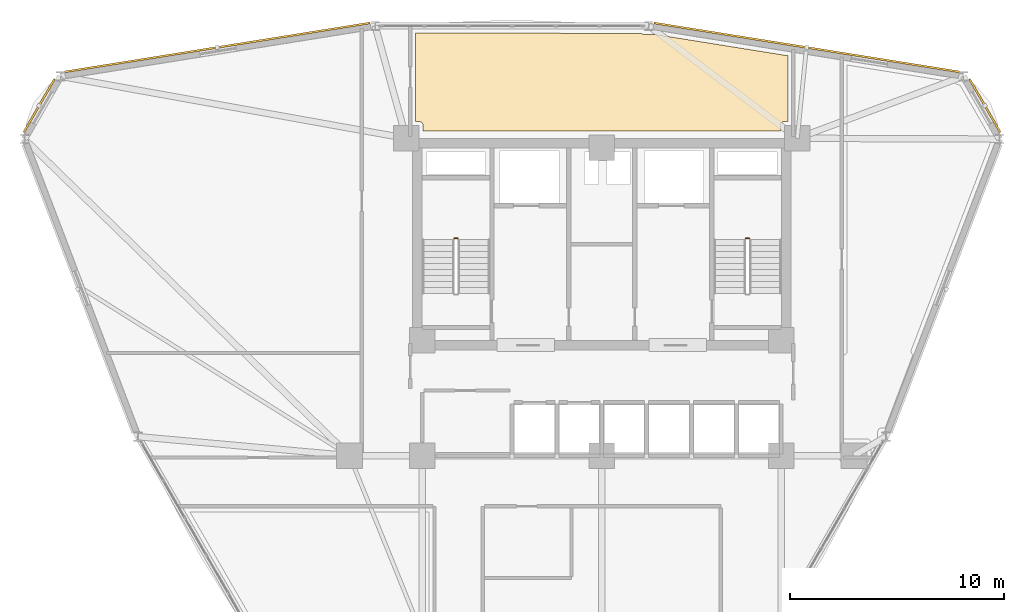
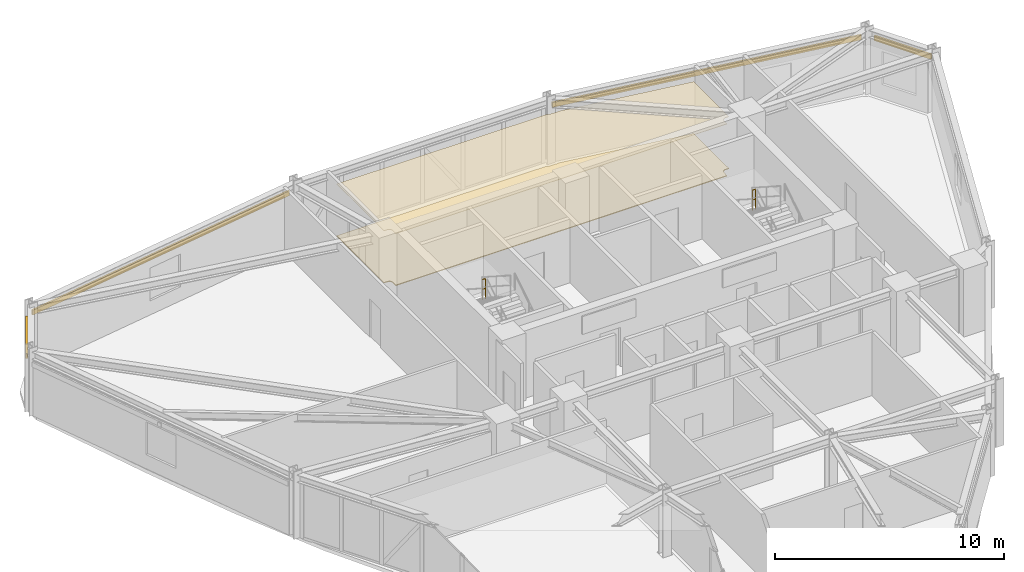
# One storey, part 15 of 15: 4 shading devices, 2 coverings, 2 railings.
"""IFC4 building model written with IfcOpenShell, lengths in metres."""

import ifcopenshell
import ifcopenshell.guid

model = None  # the IFC model being written
_history = None  # IfcOwnerHistory: only IFC2X3 demands one
_inside = {}  # id of a spatial element -> (the spatial element, [elements in it])
_under = {}  # id of a project, library or spatial element -> (it, [spatial elements below it])
_declared = {}  # id of a project -> (the project, [libraries it declares])
_typed = {}  # id of a type object -> (the type object, [elements of that type])
_made_of = {}  # id of a material, layer set ... -> (it, [elements and type objects made of it])


def new_model(schema):
    """Start an empty IFC model of exactly this schema.

    Asked for "IFC4X3", IfcOpenShell would pick the latest addendum, in which some entities
    have other attributes; the version numbers below select the first issue.
    IFC2X3 requires an IfcOwnerHistory on every rooted entity: one is made here for all.
    """
    global model, _history
    if schema == "IFC4X3":
        model = ifcopenshell.file(schema_version=(4, 3, 0, 0))
    else:
        model = ifcopenshell.file(schema=schema)
    _inside.clear()
    _under.clear()
    _declared.clear()
    _typed.clear()
    _made_of.clear()
    _history = None
    if model.schema == "IFC2X3":
        org = make("IfcOrganization", Name="unknown")
        user = make(
            "IfcPersonAndOrganization",
            ThePerson=make("IfcPerson", FamilyName="unknown"),
            TheOrganization=org,
        )
        app = make(
            "IfcApplication",
            ApplicationDeveloper=org,
            Version="unknown",
            ApplicationFullName="unknown",
            ApplicationIdentifier="unknown",
        )
        _history = make(
            "IfcOwnerHistory",
            OwningUser=user,
            OwningApplication=app,
            ChangeAction="ADDED",
            CreationDate=0,
        )
    return model


def make(cls, **values):
    """One entity of the class cls with the attributes given. An attribute that is None is left unset."""
    return model.create_entity(
        cls, **{name: value for name, value in values.items() if value is not None}
    )


def rooted(cls, **values):
    """An entity with a GlobalId (a new one), such as an element, a storey or a relation."""
    return make(cls, GlobalId=ifcopenshell.guid.new(), OwnerHistory=_history, **values)


def si_unit(unit_type, name, prefix=None):
    """IfcSIUnit, for example si_unit("LENGTHUNIT", "METRE", prefix="MILLI")."""
    return make("IfcSIUnit", UnitType=unit_type, Prefix=prefix, Name=name)


def derived_unit(unit_type, elements):
    """IfcDerivedUnit: a product of units, each with its exponent."""
    return make(
        "IfcDerivedUnit",
        Elements=[
            make("IfcDerivedUnitElement", Unit=unit, Exponent=power)
            for unit, power in elements
        ],
        UnitType=unit_type,
    )


def assignment(units):
    """IfcUnitAssignment: the units of a project."""
    return None if units is None else make("IfcUnitAssignment", Units=units)


def point(xyz):
    """IfcCartesianPoint."""
    return None if xyz is None else make("IfcCartesianPoint", Coordinates=xyz)


def direction(xyz):
    """IfcDirection."""
    return None if xyz is None else make("IfcDirection", DirectionRatios=xyz)


def frame(location, z_axis=None, x_axis=None):
    """IfcAxis2Placement3D, a coordinate frame: its origin and axes. An axis left out is left unset."""
    return make(
        "IfcAxis2Placement3D",
        Location=point(location),
        Axis=direction(z_axis),
        RefDirection=direction(x_axis),
    )


def frame_2d(location, x_axis=None):
    """IfcAxis2Placement2D, a coordinate frame in the plane: its origin and x axis."""
    return make(
        "IfcAxis2Placement2D", Location=point(location), RefDirection=direction(x_axis)
    )


def origin():
    """The frame at (0, 0, 0) with its axes left unset."""
    return frame((0.0, 0.0, 0.0))


def origin_2d():
    """The frame at (0, 0) in the plane with its x axis left unset."""
    return frame_2d((0.0, 0.0))


def place(relative_to, where):
    """IfcLocalPlacement: puts the frame where relative to a parent placement (None: the world)."""
    return make(
        "IfcLocalPlacement", PlacementRelTo=relative_to, RelativePlacement=where
    )


def context(
    kind, dimensions, precision=None, world=None, true_north=None, identifier=None
):
    """IfcGeometricRepresentationContext, for example the 3D "Model" context."""
    return make(
        "IfcGeometricRepresentationContext",
        ContextIdentifier=identifier,
        ContextType=kind,
        CoordinateSpaceDimension=dimensions,
        Precision=precision,
        WorldCoordinateSystem=world,
        TrueNorth=true_north,
    )


def subcontext(parent, identifier, kind, view, scale=None):
    """IfcGeometricRepresentationSubContext, for example "Body" below "Model"."""
    return make(
        "IfcGeometricRepresentationSubContext",
        ContextIdentifier=identifier,
        ContextType=kind,
        ParentContext=parent,
        TargetScale=scale,
        TargetView=view,
    )


def project(units=None, contexts=None):
    """IfcProject with its units and contexts."""
    return rooted(
        "IfcProject",
        Name="project",
        RepresentationContexts=contexts,
        UnitsInContext=assignment(units),
    )


def spatial(cls, under=None, at=None, **own):
    """A site, building, storey or space (cls), placed at a placement, below another one or the project."""
    s = rooted(cls, ObjectPlacement=at, **own)
    if under is not None:
        _under.setdefault(under.id(), (under, []))[1].append(s)
    return s


def polyline(points):
    """IfcPolyline through the points."""
    return make("IfcPolyline", Points=[point(p) for p in points])


def profile(cls, at=None, kind="AREA", **sizes):
    """A parametric profile (cls). Its sizes go by their IFC names, for example OverallWidth=200.0."""
    return make(cls, ProfileType=kind, Position=at, **sizes)


def hollow_rectangle(**sizes):
    """IfcRectangleHollowProfileDef."""
    return profile("IfcRectangleHollowProfileDef", **sizes)


def circle(**sizes):
    """IfcCircleProfileDef."""
    return profile("IfcCircleProfileDef", **sizes)


def outline(outer, holes=None, kind="AREA"):
    """IfcArbitraryClosedProfileDef: a profile drawn as a closed curve; with holes, ...WithVoids."""
    if holes is None:
        return make("IfcArbitraryClosedProfileDef", ProfileType=kind, OuterCurve=outer)
    return make(
        "IfcArbitraryProfileDefWithVoids",
        ProfileType=kind,
        OuterCurve=outer,
        InnerCurves=holes,
    )


def extrude(swept, where, along, depth):
    """IfcExtrudedAreaSolid: the profile swept, set in the frame where, extruded along a direction by depth."""
    return make(
        "IfcExtrudedAreaSolid",
        SweptArea=swept,
        Position=where,
        ExtrudedDirection=direction(along),
        Depth=depth,
    )


def shape(context_of_items, identifier, shape_type, items):
    """IfcShapeRepresentation: the items that make up one representation, for example the "Body"."""
    return make(
        "IfcShapeRepresentation",
        ContextOfItems=context_of_items,
        RepresentationIdentifier=identifier,
        RepresentationType=shape_type,
        Items=items,
    )


def source(mapping_origin, context_of_items, identifier, shape_type, items):
    """IfcRepresentationMap: a shape defined once, which mapped items show again and again."""
    return make(
        "IfcRepresentationMap",
        MappingOrigin=mapping_origin,
        MappedRepresentation=shape(context_of_items, identifier, shape_type, items),
    )


def transform(
    local_origin,
    x_axis=None,
    y_axis=None,
    z_axis=None,
    scale=None,
    scale2=None,
    scale3=None,
    uniform=True,
):
    """IfcCartesianTransformationOperator3D, or its non-uniform kind. x_axis, y_axis, z_axis: its Axis1, 2, 3."""
    if uniform:
        return make(
            "IfcCartesianTransformationOperator3D",
            Axis1=direction(x_axis),
            Axis2=direction(y_axis),
            LocalOrigin=point(local_origin),
            Scale=scale,
            Axis3=direction(z_axis),
        )
    return make(
        "IfcCartesianTransformationOperator3DnonUniform",
        Axis1=direction(x_axis),
        Axis2=direction(y_axis),
        LocalOrigin=point(local_origin),
        Scale=scale,
        Axis3=direction(z_axis),
        Scale2=scale2,
        Scale3=scale3,
    )


def mapped(mapping_source, mapping_target):
    """IfcMappedItem: shows the shape of a source again, moved by a transform."""
    return make(
        "IfcMappedItem", MappingSource=mapping_source, MappingTarget=mapping_target
    )


def material(Name=None, Category=None):
    """IfcMaterial."""
    return make("IfcMaterial", Name=Name, Category=Category)


def layer(
    of_material, thickness, ventilated=None, Name=None, Category=None, Priority=None
):
    """IfcMaterialLayer: one layer of a wall or slab, of a material (None: an air gap)."""
    return make(
        "IfcMaterialLayer",
        Material=of_material,
        LayerThickness=thickness,
        IsVentilated=ventilated,
        Name=Name,
        Category=Category,
        Priority=Priority,
    )


def layer_set(layers, Name=None):
    """IfcMaterialLayerSet."""
    return make("IfcMaterialLayerSet", MaterialLayers=layers, LayerSetName=Name)


def material_profile(
    of_material, cross_section, Name=None, Category=None, Priority=None
):
    """IfcMaterialProfile: a cross section and its material."""
    return make(
        "IfcMaterialProfile",
        Name=Name,
        Material=of_material,
        Profile=cross_section,
        Priority=Priority,
        Category=Category,
    )


def profile_set(profiles, Name=None, composite=None):
    """IfcMaterialProfileSet."""
    return make(
        "IfcMaterialProfileSet",
        Name=Name,
        MaterialProfiles=profiles,
        CompositeProfile=composite,
    )


def made_of(thing, what):
    """Note that an element or type object is made of a material, layer set ...; save() writes the relation."""
    if what is not None:
        _made_of.setdefault(what.id(), (what, []))[1].append(thing)
    return thing


def type_object(cls, material=None, **own):
    """A type object (cls), such as IfcWallType, which elements share."""
    return made_of(rooted(cls, **own), material)


def element(
    cls,
    number,
    at=None,
    inside=None,
    cuts=None,
    type_object=None,
    material=None,
    context=None,
    identifier="Body",
    shape_type=None,
    held_by="IfcProductDefinitionShape",
    body=None,
    shapes=None,
    **own,
):
    """One element of the class cls, such as IfcWall. Its Tag is "e" and its number.

    at: its placement. inside: the storey or other place that contains it. cuts: it is an
    opening in that element (IfcRelVoidsElement). A single representation is given by context,
    identifier, shape_type and body (its items); several are given by shapes. held_by: the class
    of the entity that holds the representations. save() writes the other relations.
    """
    e = rooted(cls, Tag="e%d" % number, ObjectPlacement=at, **own)
    if body is not None:
        shapes = [shape(context, identifier, shape_type, body)]
    if shapes is not None:
        e.Representation = make(held_by, Representations=shapes)
    if inside is not None:
        _inside.setdefault(inside.id(), (inside, []))[1].append(e)
    if cuts is not None:
        rooted(
            "IfcRelVoidsElement", RelatingBuildingElement=cuts, RelatedOpeningElement=e
        )
    if type_object is not None:
        _typed.setdefault(type_object.id(), (type_object, []))[1].append(e)
    return made_of(e, material)


def aggregate(whole, parts):
    """IfcRelAggregates: a whole, such as a stair, and the parts it consists of."""
    return rooted("IfcRelAggregates", RelatingObject=whole, RelatedObjects=parts)


def save(model, path):
    """Write the relations noted so far, then the file.

    IfcRelAggregates (storeys below a building ...), IfcRelContainedInSpatialStructure (elements
    in a storey), IfcRelDefinesByType, IfcRelAssociatesMaterial and IfcRelDeclares: one each for
    every whole, place, type object, material and project.
    """
    for whole, parts in _under.values():
        aggregate(whole, parts)
    for where, things in _inside.values():
        rooted(
            "IfcRelContainedInSpatialStructure",
            RelatedElements=things,
            RelatingStructure=where,
        )
    for kind, things in _typed.values():
        rooted("IfcRelDefinesByType", RelatedObjects=things, RelatingType=kind)
    for what, things in _made_of.values():
        rooted("IfcRelAssociatesMaterial", RelatedObjects=things, RelatingMaterial=what)
    for by, libraries in _declared.values():
        rooted("IfcRelDeclares", RelatingContext=by, RelatedDefinitions=libraries)
    model.write(path)


model = new_model("IFC4")

# Units and contexts
model_context = context("Model", 3, precision=1e-05, world=origin(), true_north=direction((0.0, 1.0)))
body_context = subcontext(model_context, "Body", "Model", "MODEL_VIEW")
ifc_project = project(units=[si_unit("LENGTHUNIT", "METRE"), si_unit("AREAUNIT", "SQUARE_METRE"), si_unit("VOLUMEUNIT", "CUBIC_METRE"), si_unit("PLANEANGLEUNIT", "RADIAN"), si_unit("MASSUNIT", "GRAM", prefix="KILO"), derived_unit("THERMALTRANSMITTANCEUNIT", [(si_unit("POWERUNIT", "WATT"), 1), (si_unit("LENGTHUNIT", "METRE"), -2), (si_unit("THERMODYNAMICTEMPERATUREUNIT", "KELVIN"), -1)])], contexts=[model_context])

# Site, building, storey
site_placement = place(None, origin())
site = spatial("IfcSite", under=ifc_project, at=site_placement, CompositionType="ELEMENT")
building_placement = place(site_placement, origin())
building = spatial("IfcBuilding", under=site, at=building_placement, Name="Korsvarv Bourse and Concert Hall", CompositionType="ELEMENT")
storey_placement = place(building_placement, frame((0.0, 0.0, 157.800048828125)))
storey = spatial("IfcBuildingStorey", under=building, at=storey_placement, Name="L40", CompositionType="ELEMENT", Elevation=157.800048828125)

# Coverings
ifc_material_1 = material(Name="Perforated mineral-wool and birch acoustic baffle ceiling", Category="wood")
ifc_layer_1 = layer(ifc_material_1, 0.02490234375)
ifc_layer_set_1 = layer_set([ifc_layer_1], Name="Perforated mineral-wool and birch acoustic baffle ceiling")
covering_type_1 = type_object("IfcCoveringType", Name="COV-CEIL-1", PredefinedType="CEILING", material=ifc_layer_set_1)
covering_1_placement = place(storey_placement, frame((0.0, 0.0, 2.780029296875)))
element("IfcCovering", 1, at=covering_1_placement, inside=storey, type_object=covering_type_1, Name="L40 acoustic baffle ceiling 3", PredefinedType="CEILING", context=body_context, shape_type="SweptSolid", body=[
    extrude(outline(polyline([(37.856689453125, 52.164306640625), (37.88330078125, 52.141845703125), (37.913818359375, 52.125), (37.94677734375, 52.1142578125), (37.981201171875, 52.110107421875), (38.4033203125, 52.10009765625), (38.438720703125, 52.102783203125), (38.47265625, 52.1123046875), (44.710693359375, 51.111572265625), (44.7099609375, 48.0400390625), (44.550048828125, 48.0400390625), (44.515380859375, 48.03662109375), (44.482177734375, 48.026611328125), (44.451416015625, 48.010498046875), (44.42431640625, 47.98876953125), (44.40185546875, 47.962158203125), (44.385009765625, 47.931640625), (44.374267578125, 47.898681640625), (44.3701171875, 47.864013671875), (44.364013671875, 47.60009765625), (27.639892578125, 47.60009765625), (27.639892578125, 47.85009765625), (27.63671875, 47.884521484375), (27.626708984375, 47.917724609375), (27.610595703125, 47.948486328125), (27.589111328125, 47.975341796875), (27.562744140625, 47.997802734375), (27.532470703125, 48.014892578125), (27.49951171875, 48.025634765625), (27.465087890625, 48.02978515625), (27.2900390625, 48.034912109375), (27.2900390625, 52.16748046875), (37.856689453125, 52.164306640625)])), origin(), (0.0, 0.0, 1.0), 0.02490234375),
])
ifc_material_2 = material(Name="Calcium-sulphate raised access trading floor with Nordic oak top", Category="wood")
ifc_layer_2 = layer(ifc_material_2, 0.0400390625)
ifc_layer_set_2 = layer_set([ifc_layer_2], Name="Calcium-sulphate raised access trading floor with Nordic oak top")
covering_type_2 = type_object("IfcCoveringType", Name="COV-FLOR-1", PredefinedType="FLOORING", material=ifc_layer_set_2)
covering_2_placement = place(storey_placement, origin())
element("IfcCovering", 2, at=covering_2_placement, inside=storey, type_object=covering_type_2, Name="L40 raised access oak floor finish 3", PredefinedType="FLOORING", context=body_context, shape_type="SweptSolid", body=[
    extrude(outline(polyline([(37.856689453125, 52.164306640625), (37.88330078125, 52.141845703125), (37.913818359375, 52.125), (37.94677734375, 52.1142578125), (37.981201171875, 52.110107421875), (38.4033203125, 52.10009765625), (38.438720703125, 52.102783203125), (38.47265625, 52.1123046875), (44.710693359375, 51.111572265625), (44.7099609375, 48.0400390625), (44.550048828125, 48.0400390625), (44.515380859375, 48.03662109375), (44.482177734375, 48.026611328125), (44.451416015625, 48.010498046875), (44.42431640625, 47.98876953125), (44.40185546875, 47.962158203125), (44.385009765625, 47.931640625), (44.374267578125, 47.898681640625), (44.3701171875, 47.864013671875), (44.364013671875, 47.60009765625), (27.639892578125, 47.60009765625), (27.639892578125, 47.85009765625), (27.63671875, 47.884521484375), (27.626708984375, 47.917724609375), (27.610595703125, 47.948486328125), (27.589111328125, 47.975341796875), (27.562744140625, 47.997802734375), (27.532470703125, 48.014892578125), (27.49951171875, 48.025634765625), (27.465087890625, 48.02978515625), (27.2900390625, 48.034912109375), (27.2900390625, 52.16748046875), (37.856689453125, 52.164306640625)])), origin(), (0.0, 0.0, 1.0), 0.0400390625),
])

# Railings
ifc_material_3 = material(Name="Painted Steel S355 stair well guardrail", Category="steel")
railing_type = type_object("IfcRailingType", Name="RL-ST-GRD", PredefinedType="GUARDRAIL", material=ifc_material_3)
for number, where, name in (
    (3, (29.260009765625, 42.570068359375, 1.800048828125), "L40 ST-T1 stair guard 2"),
    (4, (42.89990234375, 42.570068359375, 1.800048828125), "L40 ST-T2 stair guard 2"),
):
    element("IfcRailing", number, at=place(storey_placement, frame(where)), inside=storey, type_object=railing_type, Name=name, PredefinedType="GUARDRAIL", context=body_context, shape_type="SweptSolid", body=[
        extrude(circle(Radius=0.02392578125, at=origin_2d()), frame((0.0, 0.0, 1.076171875), z_axis=(-1.0, 0.0, 0.0), x_axis=(0.0, -1.0, 0.0)), (0.0, 0.0, 1.0), 0.159912109375),
        extrude(circle(Radius=0.02392578125, at=origin_2d()), frame((0.0, 0.0, 0.550048828125), z_axis=(-1.0, 0.0, 0.0), x_axis=(0.0, -1.0, 0.0)), (0.0, 0.0, 1.0), 0.159912109375),
        extrude(circle(Radius=0.02099609375, at=origin_2d()), origin(), (0.0, 0.0, 1.0), 1.052001953125),
        extrude(circle(Radius=0.02099609375, at=origin_2d()), frame((-0.159912109375, 0.0, 0.0)), (0.0, 0.0, 1.0), 1.052001953125),
    ])

# Shading devices
ifc_material_4 = material(Name="Glazed extruded architectural terracotta", Category="ceramic")
ifc_material_profile = material_profile(ifc_material_4, hollow_rectangle(XDim=0.090087890625, YDim=0.260009765625, WallThickness=0.011962890625, at=origin_2d()), Name="TC-BAG 90x260")
ifc_profile_set = profile_set([ifc_material_profile], Name="Glazed extruded architectural terracotta")
shading_device_type = type_object("IfcShadingDeviceType", Name="SHD-BAG-1", PredefinedType="USERDEFINED", material=ifc_profile_set)
shared_shape_1 = source(origin(), body_context, "Body", "SweptSolid", [
    extrude(hollow_rectangle(XDim=0.090087890625, YDim=0.260009765625, WallThickness=0.011962890625, at=origin_2d()), origin(), (0.0, 0.0, 1.0), 2.877685546875),
])
shading_device_1_placement = place(storey_placement, frame((54.64599609375, 47.52880859375, 2.83984375), z_axis=(-0.499962359318, 0.866047134552, 0.0), x_axis=(-0.866047134552, -0.499962359318, 0.0)))
element("IfcShadingDevice", 5, at=shading_device_1_placement, inside=storey, type_object=shading_device_type, Name="L40 terracotta baguette sunshade EW-L40-B01", ObjectType="BAGUETTE", PredefinedType="USERDEFINED", context=body_context, shape_type="MappedRepresentation", body=[
    mapped(shared_shape_1, transform((0.0, 0.0, 0.0), scale=1.0)),
])
shared_shape_2 = source(origin(), body_context, "Body", "SweptSolid", [
    extrude(hollow_rectangle(XDim=0.090087890625, YDim=0.260009765625, WallThickness=0.011962890625, at=origin_2d()), origin(), (0.0, 0.0, 1.0), 14.477294921875),
])
for number, where, z_axis, x_axis, name in (
    (6, (52.7353515625, 50.357421875, 2.83984375), (-0.987420840227, 0.158114149539, 0.0), (-0.158114149539, -0.987420840227, 0.0), "L40 terracotta baguette sunshade EW-L40-B02"),
    (7, (25.159912109375, 52.646484375, 2.7900390625), (-0.987420840227, -0.158114149539, 0.0), (0.158114149539, -0.987420840227, 0.0), "L40 terracotta baguette sunshade EW-L40-B04"),
):
    element("IfcShadingDevice", number, at=place(storey_placement, frame(where, z_axis=z_axis, x_axis=x_axis)), inside=storey, type_object=shading_device_type, Name=name, ObjectType="BAGUETTE", PredefinedType="USERDEFINED", context=body_context, shape_type="MappedRepresentation", body=[
        mapped(shared_shape_2, transform((0.0, 0.0, 0.0), scale=1.0)),
    ])
shared_shape_3 = source(origin(), body_context, "Body", "SweptSolid", [
    extrude(hollow_rectangle(XDim=0.090087890625, YDim=0.260009765625, WallThickness=0.011962890625, at=origin_2d()), origin(), (0.0, 0.0, 1.0), 2.87744140625),
])
shading_device_2_placement = place(storey_placement, frame((10.392578125, 50.02099609375, 2.83984375), z_axis=(-0.499898722045, -0.866083868743, 0.0), x_axis=(0.866083868743, -0.499898722045, 0.0)))
element("IfcShadingDevice", 8, at=shading_device_2_placement, inside=storey, type_object=shading_device_type, Name="L40 terracotta baguette sunshade EW-L40-B05", ObjectType="BAGUETTE", PredefinedType="USERDEFINED", context=body_context, shape_type="MappedRepresentation", body=[
    mapped(shared_shape_3, transform((0.0, 0.0, 0.0), scale=1.0)),
])

save(model, "model.ifc")
